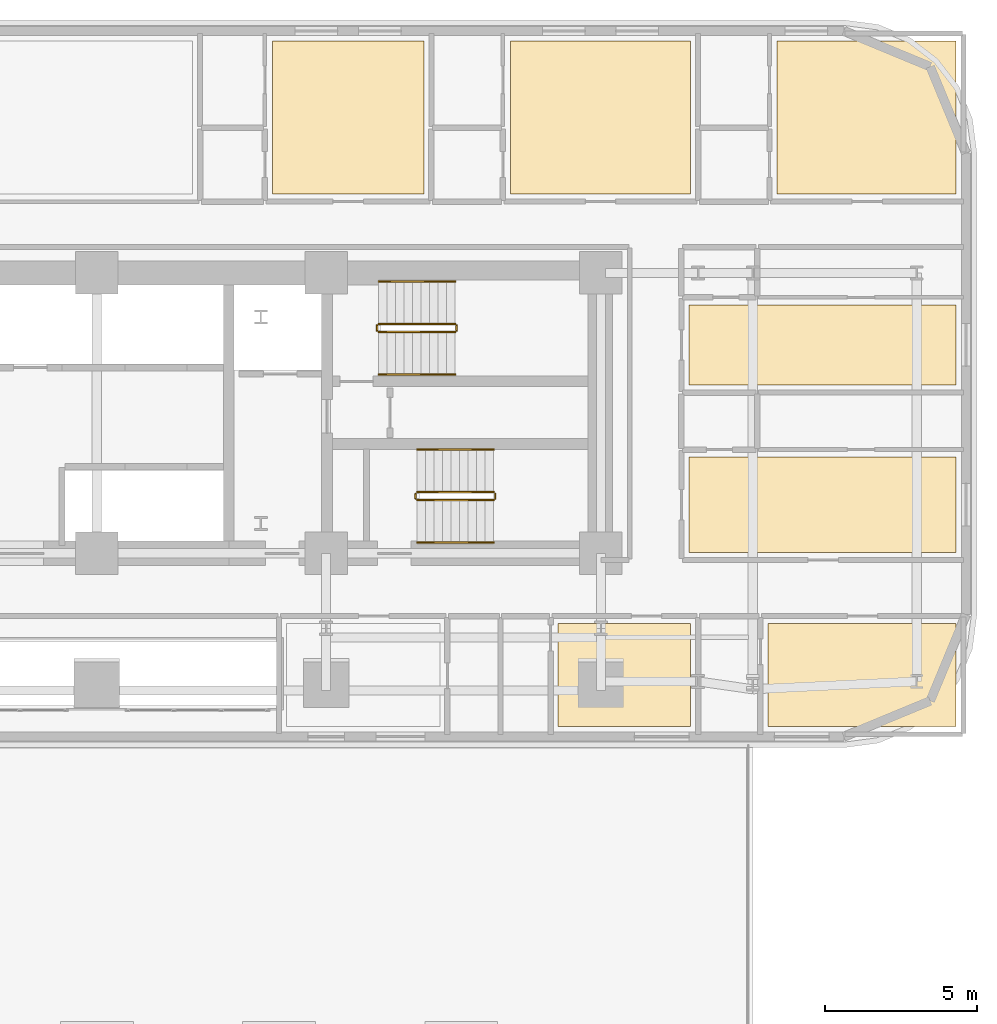
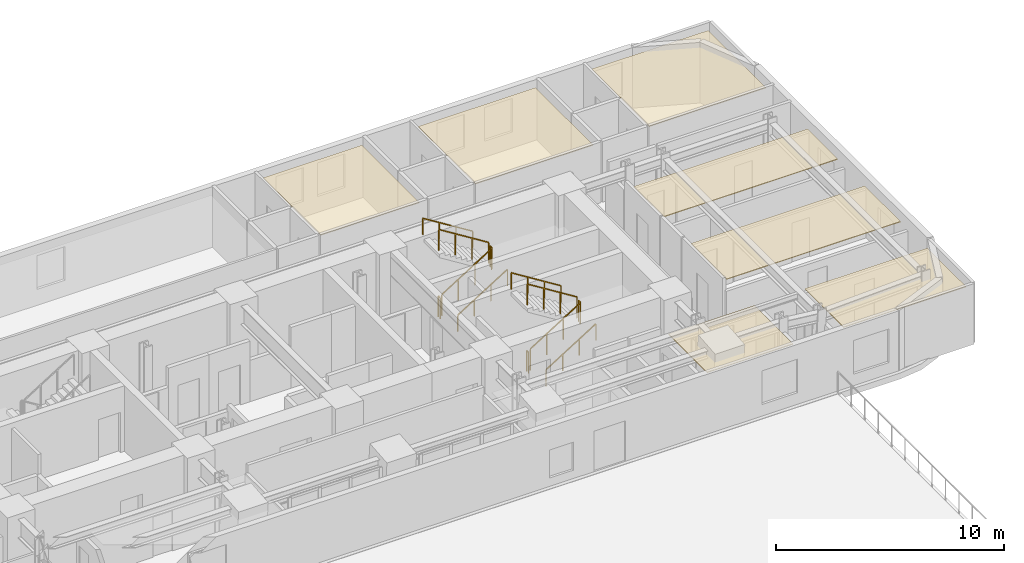
# One storey, part 15 of 15: 12 railings, 7 coverings.
"""IFC4 building model written with IfcOpenShell, lengths in metres."""

import ifcopenshell
import ifcopenshell.guid

model = None  # the IFC model being written
_history = None  # IfcOwnerHistory: only IFC2X3 demands one
_inside = {}  # id of a spatial element -> (the spatial element, [elements in it])
_under = {}  # id of a project, library or spatial element -> (it, [spatial elements below it])
_declared = {}  # id of a project -> (the project, [libraries it declares])
_typed = {}  # id of a type object -> (the type object, [elements of that type])
_made_of = {}  # id of a material, layer set ... -> (it, [elements and type objects made of it])


def new_model(schema):
    """Start an empty IFC model of exactly this schema.

    Asked for "IFC4X3", IfcOpenShell would pick the latest addendum, in which some entities
    have other attributes; the version numbers below select the first issue.
    IFC2X3 requires an IfcOwnerHistory on every rooted entity: one is made here for all.
    """
    global model, _history
    if schema == "IFC4X3":
        model = ifcopenshell.file(schema_version=(4, 3, 0, 0))
    else:
        model = ifcopenshell.file(schema=schema)
    _inside.clear()
    _under.clear()
    _declared.clear()
    _typed.clear()
    _made_of.clear()
    _history = None
    if model.schema == "IFC2X3":
        org = make("IfcOrganization", Name="unknown")
        user = make(
            "IfcPersonAndOrganization",
            ThePerson=make("IfcPerson", FamilyName="unknown"),
            TheOrganization=org,
        )
        app = make(
            "IfcApplication",
            ApplicationDeveloper=org,
            Version="unknown",
            ApplicationFullName="unknown",
            ApplicationIdentifier="unknown",
        )
        _history = make(
            "IfcOwnerHistory",
            OwningUser=user,
            OwningApplication=app,
            ChangeAction="ADDED",
            CreationDate=0,
        )
    return model


def make(cls, **values):
    """One entity of the class cls with the attributes given. An attribute that is None is left unset."""
    return model.create_entity(
        cls, **{name: value for name, value in values.items() if value is not None}
    )


def rooted(cls, **values):
    """An entity with a GlobalId (a new one), such as an element, a storey or a relation."""
    return make(cls, GlobalId=ifcopenshell.guid.new(), OwnerHistory=_history, **values)


def si_unit(unit_type, name, prefix=None):
    """IfcSIUnit, for example si_unit("LENGTHUNIT", "METRE", prefix="MILLI")."""
    return make("IfcSIUnit", UnitType=unit_type, Prefix=prefix, Name=name)


def assignment(units):
    """IfcUnitAssignment: the units of a project."""
    return None if units is None else make("IfcUnitAssignment", Units=units)


def point(xyz):
    """IfcCartesianPoint."""
    return None if xyz is None else make("IfcCartesianPoint", Coordinates=xyz)


def direction(xyz):
    """IfcDirection."""
    return None if xyz is None else make("IfcDirection", DirectionRatios=xyz)


def frame(location, z_axis=None, x_axis=None):
    """IfcAxis2Placement3D, a coordinate frame: its origin and axes. An axis left out is left unset."""
    return make(
        "IfcAxis2Placement3D",
        Location=point(location),
        Axis=direction(z_axis),
        RefDirection=direction(x_axis),
    )


def frame_2d(location, x_axis=None):
    """IfcAxis2Placement2D, a coordinate frame in the plane: its origin and x axis."""
    return make(
        "IfcAxis2Placement2D", Location=point(location), RefDirection=direction(x_axis)
    )


def origin():
    """The frame at (0, 0, 0) with its axes left unset."""
    return frame((0.0, 0.0, 0.0))


def origin_2d():
    """The frame at (0, 0) in the plane with its x axis left unset."""
    return frame_2d((0.0, 0.0))


def place(relative_to, where):
    """IfcLocalPlacement: puts the frame where relative to a parent placement (None: the world)."""
    return make(
        "IfcLocalPlacement", PlacementRelTo=relative_to, RelativePlacement=where
    )


def context(
    kind, dimensions, precision=None, world=None, true_north=None, identifier=None
):
    """IfcGeometricRepresentationContext, for example the 3D "Model" context."""
    return make(
        "IfcGeometricRepresentationContext",
        ContextIdentifier=identifier,
        ContextType=kind,
        CoordinateSpaceDimension=dimensions,
        Precision=precision,
        WorldCoordinateSystem=world,
        TrueNorth=true_north,
    )


def subcontext(parent, identifier, kind, view, scale=None):
    """IfcGeometricRepresentationSubContext, for example "Body" below "Model"."""
    return make(
        "IfcGeometricRepresentationSubContext",
        ContextIdentifier=identifier,
        ContextType=kind,
        ParentContext=parent,
        TargetScale=scale,
        TargetView=view,
    )


def project(units=None, contexts=None):
    """IfcProject with its units and contexts."""
    return rooted(
        "IfcProject",
        Name="project",
        RepresentationContexts=contexts,
        UnitsInContext=assignment(units),
    )


def spatial(cls, under=None, at=None, **own):
    """A site, building, storey or space (cls), placed at a placement, below another one or the project."""
    s = rooted(cls, ObjectPlacement=at, **own)
    if under is not None:
        _under.setdefault(under.id(), (under, []))[1].append(s)
    return s


def polyline(points):
    """IfcPolyline through the points."""
    return make("IfcPolyline", Points=[point(p) for p in points])


def profile(cls, at=None, kind="AREA", **sizes):
    """A parametric profile (cls). Its sizes go by their IFC names, for example OverallWidth=200.0."""
    return make(cls, ProfileType=kind, Position=at, **sizes)


def rectangle(**sizes):
    """IfcRectangleProfileDef."""
    return profile("IfcRectangleProfileDef", **sizes)


def outline(outer, holes=None, kind="AREA"):
    """IfcArbitraryClosedProfileDef: a profile drawn as a closed curve; with holes, ...WithVoids."""
    if holes is None:
        return make("IfcArbitraryClosedProfileDef", ProfileType=kind, OuterCurve=outer)
    return make(
        "IfcArbitraryProfileDefWithVoids",
        ProfileType=kind,
        OuterCurve=outer,
        InnerCurves=holes,
    )


def extrude(swept, where, along, depth):
    """IfcExtrudedAreaSolid: the profile swept, set in the frame where, extruded along a direction by depth."""
    return make(
        "IfcExtrudedAreaSolid",
        SweptArea=swept,
        Position=where,
        ExtrudedDirection=direction(along),
        Depth=depth,
    )


def shape(context_of_items, identifier, shape_type, items):
    """IfcShapeRepresentation: the items that make up one representation, for example the "Body"."""
    return make(
        "IfcShapeRepresentation",
        ContextOfItems=context_of_items,
        RepresentationIdentifier=identifier,
        RepresentationType=shape_type,
        Items=items,
    )


def material(Name=None, Category=None):
    """IfcMaterial."""
    return make("IfcMaterial", Name=Name, Category=Category)


def layer(
    of_material, thickness, ventilated=None, Name=None, Category=None, Priority=None
):
    """IfcMaterialLayer: one layer of a wall or slab, of a material (None: an air gap)."""
    return make(
        "IfcMaterialLayer",
        Material=of_material,
        LayerThickness=thickness,
        IsVentilated=ventilated,
        Name=Name,
        Category=Category,
        Priority=Priority,
    )


def layer_set(layers, Name=None):
    """IfcMaterialLayerSet."""
    return make("IfcMaterialLayerSet", MaterialLayers=layers, LayerSetName=Name)


def made_of(thing, what):
    """Note that an element or type object is made of a material, layer set ...; save() writes the relation."""
    if what is not None:
        _made_of.setdefault(what.id(), (what, []))[1].append(thing)
    return thing


def type_object(cls, material=None, **own):
    """A type object (cls), such as IfcWallType, which elements share."""
    return made_of(rooted(cls, **own), material)


def element(
    cls,
    number,
    at=None,
    inside=None,
    cuts=None,
    type_object=None,
    material=None,
    context=None,
    identifier="Body",
    shape_type=None,
    held_by="IfcProductDefinitionShape",
    body=None,
    shapes=None,
    **own,
):
    """One element of the class cls, such as IfcWall. Its Tag is "e" and its number.

    at: its placement. inside: the storey or other place that contains it. cuts: it is an
    opening in that element (IfcRelVoidsElement). A single representation is given by context,
    identifier, shape_type and body (its items); several are given by shapes. held_by: the class
    of the entity that holds the representations. save() writes the other relations.
    """
    e = rooted(cls, Tag="e%d" % number, ObjectPlacement=at, **own)
    if body is not None:
        shapes = [shape(context, identifier, shape_type, body)]
    if shapes is not None:
        e.Representation = make(held_by, Representations=shapes)
    if inside is not None:
        _inside.setdefault(inside.id(), (inside, []))[1].append(e)
    if cuts is not None:
        rooted(
            "IfcRelVoidsElement", RelatingBuildingElement=cuts, RelatedOpeningElement=e
        )
    if type_object is not None:
        _typed.setdefault(type_object.id(), (type_object, []))[1].append(e)
    return made_of(e, material)


def aggregate(whole, parts):
    """IfcRelAggregates: a whole, such as a stair, and the parts it consists of."""
    return rooted("IfcRelAggregates", RelatingObject=whole, RelatedObjects=parts)


def save(model, path):
    """Write the relations noted so far, then the file.

    IfcRelAggregates (storeys below a building ...), IfcRelContainedInSpatialStructure (elements
    in a storey), IfcRelDefinesByType, IfcRelAssociatesMaterial and IfcRelDeclares: one each for
    every whole, place, type object, material and project.
    """
    for whole, parts in _under.values():
        aggregate(whole, parts)
    for where, things in _inside.values():
        rooted(
            "IfcRelContainedInSpatialStructure",
            RelatedElements=things,
            RelatingStructure=where,
        )
    for kind, things in _typed.values():
        rooted("IfcRelDefinesByType", RelatedObjects=things, RelatingType=kind)
    for what, things in _made_of.values():
        rooted("IfcRelAssociatesMaterial", RelatedObjects=things, RelatingMaterial=what)
    for by, libraries in _declared.values():
        rooted("IfcRelDeclares", RelatingContext=by, RelatedDefinitions=libraries)
    model.write(path)


model = new_model("IFC4")

# Units and contexts
model_context = context("Model", 3, precision=1e-05, world=origin(), true_north=direction((0.0, 1.0)))
body_context = subcontext(model_context, "Body", "Model", "MODEL_VIEW")
ifc_project = project(units=[si_unit("LENGTHUNIT", "METRE"), si_unit("AREAUNIT", "SQUARE_METRE"), si_unit("VOLUMEUNIT", "CUBIC_METRE"), si_unit("PLANEANGLEUNIT", "RADIAN"), si_unit("MASSUNIT", "GRAM", prefix="KILO")], contexts=[model_context])

# Site, building, storey
site_placement = place(None, origin())
site = spatial("IfcSite", under=ifc_project, at=site_placement, CompositionType="ELEMENT")
building_placement = place(site_placement, origin())
building = spatial("IfcBuilding", under=site, at=building_placement, Name="Zarnavel Station Tower", CompositionType="ELEMENT")
storey_placement = place(building_placement, frame((0.0, 0.0, 29.0)))
storey = spatial("IfcBuildingStorey", under=building, at=storey_placement, Name="L07", CompositionType="ELEMENT", Elevation=29.0)

# Coverings
ifc_material_1 = material(Name="Perforated Gypsum and Mineral-Wool Acoustic Ceiling", Category="concrete")
ifc_layer = layer(ifc_material_1, 0.0400390625)
ifc_layer_set = layer_set([ifc_layer], Name="COV_CEIL_ACOUSTIC")
covering_type = type_object("IfcCoveringType", Name="COV_CEIL_ACOUSTIC", PredefinedType="CEILING", material=ifc_layer_set)
covering_1_placement = place(storey_placement, frame((0.0, 0.0, 2.919921875)))
element("IfcCovering", 1, at=covering_1_placement, inside=storey, type_object=covering_type, Name="L07 FNE1R Acoustic Ceiling", PredefinedType="CEILING", context=body_context, shape_type="SweptSolid", body=[
    extrude(outline(polyline([(48.300048828125, 27.85009765625), (57.090087890625, 27.85009765625), (57.090087890625, 30.986083984375), (48.300048828125, 30.986083984375), (48.300048828125, 27.85009765625)])), origin(), (0.0, 0.0, 1.0), 0.0400390625),
])
covering_2_placement = place(storey_placement, frame((0.0, 0.0, 2.919921875)))
element("IfcCovering", 2, at=covering_2_placement, inside=storey, type_object=covering_type, Name="L07 FNE2R Acoustic Ceiling", PredefinedType="CEILING", context=body_context, shape_type="SweptSolid", body=[
    extrude(outline(polyline([(48.300048828125, 33.35888671875), (57.090087890625, 33.35888671875), (57.090087890625, 36.0), (48.300048828125, 36.0), (48.300048828125, 33.35888671875)])), origin(), (0.0, 0.0, 1.0), 0.0400390625),
])
covering_3_placement = place(storey_placement, frame((0.0, 0.0, 2.919921875)))
element("IfcCovering", 3, at=covering_3_placement, inside=storey, type_object=covering_type, Name="L07 HN1R Acoustic Ceiling", PredefinedType="CEILING", context=body_context, shape_type="SweptSolid", body=[
    extrude(outline(polyline([(34.5830078125, 39.64990234375), (39.568115234375, 39.64990234375), (39.568115234375, 44.68994140625), (34.5830078125, 44.68994140625), (34.5830078125, 39.64990234375)])), origin(), (0.0, 0.0, 1.0), 0.0400390625),
])
covering_4_placement = place(storey_placement, frame((0.0, 0.0, 2.919921875)))
element("IfcCovering", 4, at=covering_4_placement, inside=storey, type_object=covering_type, Name="L07 HN2R Acoustic Ceiling", PredefinedType="CEILING", context=body_context, shape_type="SweptSolid", body=[
    extrude(outline(polyline([(42.41796875, 39.64990234375), (48.35009765625, 39.64990234375), (48.35009765625, 44.68994140625), (42.41796875, 44.68994140625), (42.41796875, 39.64990234375)])), origin(), (0.0, 0.0, 1.0), 0.0400390625),
])
covering_5_placement = place(storey_placement, frame((0.0, 0.0, 2.919921875)))
element("IfcCovering", 5, at=covering_5_placement, inside=storey, type_object=covering_type, Name="L07 HN3R Acoustic Ceiling", PredefinedType="CEILING", context=body_context, shape_type="SweptSolid", body=[
    extrude(outline(polyline([(51.199951171875, 39.64990234375), (57.090087890625, 39.64990234375), (57.090087890625, 44.68994140625), (51.199951171875, 44.68994140625), (51.199951171875, 39.64990234375)])), origin(), (0.0, 0.0, 1.0), 0.0400390625),
])
covering_6_placement = place(storey_placement, frame((0.0, 0.0, 2.919921875)))
element("IfcCovering", 6, at=covering_6_placement, inside=storey, type_object=covering_type, Name="L07 HE2R Acoustic Ceiling", PredefinedType="CEILING", context=body_context, shape_type="SweptSolid", body=[
    extrude(outline(polyline([(43.991943359375, 22.110107421875), (48.35009765625, 22.110107421875), (48.35009765625, 25.5), (43.991943359375, 25.5), (43.991943359375, 22.110107421875)])), origin(), (0.0, 0.0, 1.0), 0.0400390625),
])
covering_7_placement = place(storey_placement, frame((0.0, 0.0, 2.919921875)))
element("IfcCovering", 7, at=covering_7_placement, inside=storey, type_object=covering_type, Name="L07 HE3R Acoustic Ceiling", PredefinedType="CEILING", context=body_context, shape_type="SweptSolid", body=[
    extrude(outline(polyline([(50.89990234375, 22.110107421875), (57.090087890625, 22.110107421875), (57.090087890625, 25.5), (50.89990234375, 25.5), (50.89990234375, 22.110107421875)])), origin(), (0.0, 0.0, 1.0), 0.0400390625),
])

# Railings
ifc_material_2 = material(Name="Painted Steel S355J2 Balustrade", Category="steel")
railing_type_1 = type_object("IfcRailingType", Name="GR_INT_1150", PredefinedType="GUARDRAIL", material=ifc_material_2)
railing_1_placement = place(storey_placement, frame((38.080078125, 35.110107421875, 0.175048828125)))
element("IfcRailing", 8, at=railing_1_placement, inside=storey, type_object=railing_type_1, Name="L07 ST2 stair guard 1", PredefinedType="GUARDRAIL", context=body_context, shape_type="SweptSolid", body=[
    extrude(rectangle(XDim=0.048095703125, YDim=0.048095703125, at=origin_2d()), frame((0.001708984375, 0.0, 1.126953125), z_axis=(0.848007534815, 0.0, 0.529984170421), x_axis=(0.0, 1.0, 0.0)), (0.0, 0.0, 1.0), 2.9677734375),
    extrude(rectangle(XDim=0.0419921875, YDim=0.0419921875, at=origin_2d()), origin(), (0.0, 0.0, 1.0), 1.101806640625),
    extrude(rectangle(XDim=0.0419921875, YDim=0.0419921875, at=origin_2d()), frame((0.840087890625, 0.0, 0.52490234375)), (0.0, 0.0, 1.0), 1.101806640625),
    extrude(rectangle(XDim=0.0419921875, YDim=0.0419921875, at=origin_2d()), frame((1.679931640625, 0.0, 1.050048828125)), (0.0, 0.0, 1.0), 1.101806640625),
    extrude(rectangle(XDim=0.0419921875, YDim=0.0419921875, at=origin_2d()), frame((2.52001953125, 0.0, 1.574951171875)), (0.0, 0.0, 1.0), 1.101806640625),
])
railing_2_placement = place(storey_placement, frame((40.64990234375, 35.159912109375, 1.75)))
element("IfcRailing", 9, at=railing_2_placement, inside=storey, type_object=railing_type_1, Name="L07 ST2 stair guard 2", PredefinedType="GUARDRAIL", context=body_context, shape_type="SweptSolid", body=[
    extrude(rectangle(XDim=0.048095703125, YDim=0.048095703125, at=origin_2d()), frame((0.0, 0.001953125, 1.1259765625), z_axis=(0.0, 1.0, 0.0), x_axis=(-1.0, 0.0, 0.0)), (0.0, 0.0, 1.0), 0.15625),
    extrude(rectangle(XDim=0.0419921875, YDim=0.0419921875, at=origin_2d()), origin(), (0.0, 0.0, 1.0), 1.101806640625),
    extrude(rectangle(XDim=0.0419921875, YDim=0.0419921875, at=origin_2d()), frame((0.0, 0.16015625, 0.0)), (0.0, 0.0, 1.0), 1.101806640625),
])
railing_3_placement = place(storey_placement, frame((40.60009765625, 35.3701171875, 1.925048828125)))
element("IfcRailing", 10, at=railing_3_placement, inside=storey, type_object=railing_type_1, Name="L07 ST2 stair guard 3", PredefinedType="GUARDRAIL", context=body_context, shape_type="SweptSolid", body=[
    extrude(rectangle(XDim=0.048095703125, YDim=0.048095703125, at=origin_2d()), frame((-0.001708984375, 0.0, 1.126953125), z_axis=(-0.848007534815, 0.0, 0.529984170421), x_axis=(0.0, -1.0, 0.0)), (0.0, 0.0, 1.0), 2.9677734375),
    extrude(rectangle(XDim=0.0419921875, YDim=0.0419921875, at=origin_2d()), origin(), (0.0, 0.0, 1.0), 1.101806640625),
    extrude(rectangle(XDim=0.0419921875, YDim=0.0419921875, at=origin_2d()), frame((-0.840087890625, 0.0, 0.52490234375)), (0.0, 0.0, 1.0), 1.101806640625),
    extrude(rectangle(XDim=0.0419921875, YDim=0.0419921875, at=origin_2d()), frame((-1.679931640625, 0.0, 1.050048828125)), (0.0, 0.0, 1.0), 1.101806640625),
    extrude(rectangle(XDim=0.0419921875, YDim=0.0419921875, at=origin_2d()), frame((-2.52001953125, 0.0, 1.574951171875)), (0.0, 0.0, 1.0), 1.101806640625),
])
railing_4_placement = place(storey_placement, frame((38.030029296875, 35.159912109375, 0.0)))
element("IfcRailing", 11, at=railing_4_placement, inside=storey, type_object=railing_type_1, Name="L07 ST2 stair guard 4", PredefinedType="GUARDRAIL", context=body_context, shape_type="SweptSolid", body=[
    extrude(rectangle(XDim=0.048095703125, YDim=0.048095703125, at=origin_2d()), frame((0.0, 0.001953125, 1.1259765625), z_axis=(0.0, 1.0, 0.0), x_axis=(-1.0, 0.0, 0.0)), (0.0, 0.0, 1.0), 0.15625),
    extrude(rectangle(XDim=0.0419921875, YDim=0.0419921875, at=origin_2d()), origin(), (0.0, 0.0, 1.0), 1.101806640625),
    extrude(rectangle(XDim=0.0419921875, YDim=0.0419921875, at=origin_2d()), frame((0.0, 0.16015625, 0.0)), (0.0, 0.0, 1.0), 1.101806640625),
])
railing_5_placement = place(storey_placement, frame((39.35009765625, 29.570068359375, 0.175048828125)))
element("IfcRailing", 12, at=railing_5_placement, inside=storey, type_object=railing_type_1, Name="L07 ST3 stair guard 1", PredefinedType="GUARDRAIL", context=body_context, shape_type="SweptSolid", body=[
    extrude(rectangle(XDim=0.048095703125, YDim=0.048095703125, at=origin_2d()), frame((0.001708984375, 0.0, 1.126953125), z_axis=(0.848007534815, 0.0, 0.529984170421), x_axis=(0.0, 1.0, 0.0)), (0.0, 0.0, 1.0), 2.9677734375),
    extrude(rectangle(XDim=0.0419921875, YDim=0.0419921875, at=origin_2d()), origin(), (0.0, 0.0, 1.0), 1.101806640625),
    extrude(rectangle(XDim=0.0419921875, YDim=0.0419921875, at=origin_2d()), frame((0.840087890625, 0.0, 0.52490234375)), (0.0, 0.0, 1.0), 1.101806640625),
    extrude(rectangle(XDim=0.0419921875, YDim=0.0419921875, at=origin_2d()), frame((1.679931640625, 0.0, 1.050048828125)), (0.0, 0.0, 1.0), 1.101806640625),
    extrude(rectangle(XDim=0.0419921875, YDim=0.0419921875, at=origin_2d()), frame((2.52001953125, 0.0, 1.574951171875)), (0.0, 0.0, 1.0), 1.101806640625),
])
railing_6_placement = place(storey_placement, frame((41.919921875, 29.6201171875, 1.75)))
element("IfcRailing", 13, at=railing_6_placement, inside=storey, type_object=railing_type_1, Name="L07 ST3 stair guard 2", PredefinedType="GUARDRAIL", context=body_context, shape_type="SweptSolid", body=[
    extrude(rectangle(XDim=0.048095703125, YDim=0.048095703125, at=origin_2d()), frame((0.0, 0.001953125, 1.1259765625), z_axis=(0.0, 1.0, 0.0), x_axis=(-1.0, 0.0, 0.0)), (0.0, 0.0, 1.0), 0.156005859375),
    extrude(rectangle(XDim=0.0419921875, YDim=0.0419921875, at=origin_2d()), origin(), (0.0, 0.0, 1.0), 1.101806640625),
    extrude(rectangle(XDim=0.0419921875, YDim=0.0419921875, at=origin_2d()), frame((0.0, 0.159912109375, 0.0)), (0.0, 0.0, 1.0), 1.101806640625),
])
railing_7_placement = place(storey_placement, frame((41.8701171875, 29.830078125, 1.925048828125)))
element("IfcRailing", 14, at=railing_7_placement, inside=storey, type_object=railing_type_1, Name="L07 ST3 stair guard 3", PredefinedType="GUARDRAIL", context=body_context, shape_type="SweptSolid", body=[
    extrude(rectangle(XDim=0.048095703125, YDim=0.048095703125, at=origin_2d()), frame((-0.001708984375, 0.0, 1.126953125), z_axis=(-0.848007534815, 0.0, 0.529984170421), x_axis=(0.0, -1.0, 0.0)), (0.0, 0.0, 1.0), 2.9677734375),
    extrude(rectangle(XDim=0.0419921875, YDim=0.0419921875, at=origin_2d()), origin(), (0.0, 0.0, 1.0), 1.101806640625),
    extrude(rectangle(XDim=0.0419921875, YDim=0.0419921875, at=origin_2d()), frame((-0.840087890625, 0.0, 0.52490234375)), (0.0, 0.0, 1.0), 1.101806640625),
    extrude(rectangle(XDim=0.0419921875, YDim=0.0419921875, at=origin_2d()), frame((-1.679931640625, 0.0, 1.050048828125)), (0.0, 0.0, 1.0), 1.101806640625),
    extrude(rectangle(XDim=0.0419921875, YDim=0.0419921875, at=origin_2d()), frame((-2.52001953125, 0.0, 1.574951171875)), (0.0, 0.0, 1.0), 1.101806640625),
])
railing_8_placement = place(storey_placement, frame((39.300048828125, 29.6201171875, 0.0)))
element("IfcRailing", 15, at=railing_8_placement, inside=storey, type_object=railing_type_1, Name="L07 ST3 stair guard 4", PredefinedType="GUARDRAIL", context=body_context, shape_type="SweptSolid", body=[
    extrude(rectangle(XDim=0.048095703125, YDim=0.048095703125, at=origin_2d()), frame((0.0, 0.001953125, 1.1259765625), z_axis=(0.0, 1.0, 0.0), x_axis=(-1.0, 0.0, 0.0)), (0.0, 0.0, 1.0), 0.156005859375),
    extrude(rectangle(XDim=0.0419921875, YDim=0.0419921875, at=origin_2d()), origin(), (0.0, 0.0, 1.0), 1.101806640625),
    extrude(rectangle(XDim=0.0419921875, YDim=0.0419921875, at=origin_2d()), frame((0.0, 0.159912109375, 0.0)), (0.0, 0.0, 1.0), 1.101806640625),
])
ifc_material_3 = material(Name="Brushed Stainless Steel S355J2 Handrail", Category="steel")
railing_type_2 = type_object("IfcRailingType", Name="HR_STAIR_900", PredefinedType="HANDRAIL", material=ifc_material_3)
railing_9_placement = place(storey_placement, frame((38.080078125, 33.7099609375, 0.175048828125)))
element("IfcRailing", 16, at=railing_9_placement, inside=storey, type_object=railing_type_2, Name="L07 ST2 stair handrail 1", PredefinedType="HANDRAIL", context=body_context, shape_type="SweptSolid", body=[
    extrude(rectangle(XDim=0.048095703125, YDim=0.048095703125, at=origin_2d()), frame((0.001708984375, 0.0, 0.876953125), z_axis=(0.848007534815, 0.0, 0.529984170421), x_axis=(0.0, 1.0, 0.0)), (0.0, 0.0, 1.0), 2.9677734375),
    extrude(rectangle(XDim=0.0419921875, YDim=0.0419921875, at=origin_2d()), origin(), (0.0, 0.0, 1.0), 0.851806640625),
    extrude(rectangle(XDim=0.0419921875, YDim=0.0419921875, at=origin_2d()), frame((0.840087890625, 0.0, 0.52490234375)), (0.0, 0.0, 1.0), 0.851806640625),
    extrude(rectangle(XDim=0.0419921875, YDim=0.0419921875, at=origin_2d()), frame((1.679931640625, 0.0, 1.050048828125)), (0.0, 0.0, 1.0), 0.851806640625),
    extrude(rectangle(XDim=0.0419921875, YDim=0.0419921875, at=origin_2d()), frame((2.52001953125, 0.0, 1.574951171875)), (0.0, 0.0, 1.0), 0.851806640625),
])
railing_10_placement = place(storey_placement, frame((40.60009765625, 36.77001953125, 1.925048828125)))
element("IfcRailing", 17, at=railing_10_placement, inside=storey, type_object=railing_type_2, Name="L07 ST2 stair handrail 2", PredefinedType="HANDRAIL", context=body_context, shape_type="SweptSolid", body=[
    extrude(rectangle(XDim=0.048095703125, YDim=0.048095703125, at=origin_2d()), frame((-0.001708984375, 0.0, 0.876953125), z_axis=(-0.848007534815, 0.0, 0.529984170421), x_axis=(0.0, -1.0, 0.0)), (0.0, 0.0, 1.0), 2.9677734375),
    extrude(rectangle(XDim=0.0419921875, YDim=0.0419921875, at=origin_2d()), origin(), (0.0, 0.0, 1.0), 0.851806640625),
    extrude(rectangle(XDim=0.0419921875, YDim=0.0419921875, at=origin_2d()), frame((-0.840087890625, 0.0, 0.52490234375)), (0.0, 0.0, 1.0), 0.851806640625),
    extrude(rectangle(XDim=0.0419921875, YDim=0.0419921875, at=origin_2d()), frame((-1.679931640625, 0.0, 1.050048828125)), (0.0, 0.0, 1.0), 0.851806640625),
    extrude(rectangle(XDim=0.0419921875, YDim=0.0419921875, at=origin_2d()), frame((-2.52001953125, 0.0, 1.574951171875)), (0.0, 0.0, 1.0), 0.851806640625),
])
railing_11_placement = place(storey_placement, frame((39.35009765625, 28.169921875, 0.175048828125)))
element("IfcRailing", 18, at=railing_11_placement, inside=storey, type_object=railing_type_2, Name="L07 ST3 stair handrail 1", PredefinedType="HANDRAIL", context=body_context, shape_type="SweptSolid", body=[
    extrude(rectangle(XDim=0.048095703125, YDim=0.048095703125, at=origin_2d()), frame((0.001708984375, 0.0, 0.876953125), z_axis=(0.848007534815, 0.0, 0.529984170421), x_axis=(0.0, 1.0, 0.0)), (0.0, 0.0, 1.0), 2.9677734375),
    extrude(rectangle(XDim=0.0419921875, YDim=0.0419921875, at=origin_2d()), origin(), (0.0, 0.0, 1.0), 0.851806640625),
    extrude(rectangle(XDim=0.0419921875, YDim=0.0419921875, at=origin_2d()), frame((0.840087890625, 0.0, 0.52490234375)), (0.0, 0.0, 1.0), 0.851806640625),
    extrude(rectangle(XDim=0.0419921875, YDim=0.0419921875, at=origin_2d()), frame((1.679931640625, 0.0, 1.050048828125)), (0.0, 0.0, 1.0), 0.851806640625),
    extrude(rectangle(XDim=0.0419921875, YDim=0.0419921875, at=origin_2d()), frame((2.52001953125, 0.0, 1.574951171875)), (0.0, 0.0, 1.0), 0.851806640625),
])
railing_12_placement = place(storey_placement, frame((41.8701171875, 31.22998046875, 1.925048828125)))
element("IfcRailing", 19, at=railing_12_placement, inside=storey, type_object=railing_type_2, Name="L07 ST3 stair handrail 2", PredefinedType="HANDRAIL", context=body_context, shape_type="SweptSolid", body=[
    extrude(rectangle(XDim=0.048095703125, YDim=0.048095703125, at=origin_2d()), frame((-0.001708984375, 0.0, 0.876953125), z_axis=(-0.848007534815, 0.0, 0.529984170421), x_axis=(0.0, -1.0, 0.0)), (0.0, 0.0, 1.0), 2.9677734375),
    extrude(rectangle(XDim=0.0419921875, YDim=0.0419921875, at=origin_2d()), origin(), (0.0, 0.0, 1.0), 0.851806640625),
    extrude(rectangle(XDim=0.0419921875, YDim=0.0419921875, at=origin_2d()), frame((-0.840087890625, 0.0, 0.52490234375)), (0.0, 0.0, 1.0), 0.851806640625),
    extrude(rectangle(XDim=0.0419921875, YDim=0.0419921875, at=origin_2d()), frame((-1.679931640625, 0.0, 1.050048828125)), (0.0, 0.0, 1.0), 0.851806640625),
    extrude(rectangle(XDim=0.0419921875, YDim=0.0419921875, at=origin_2d()), frame((-2.52001953125, 0.0, 1.574951171875)), (0.0, 0.0, 1.0), 0.851806640625),
])

save(model, "model.ifc")
